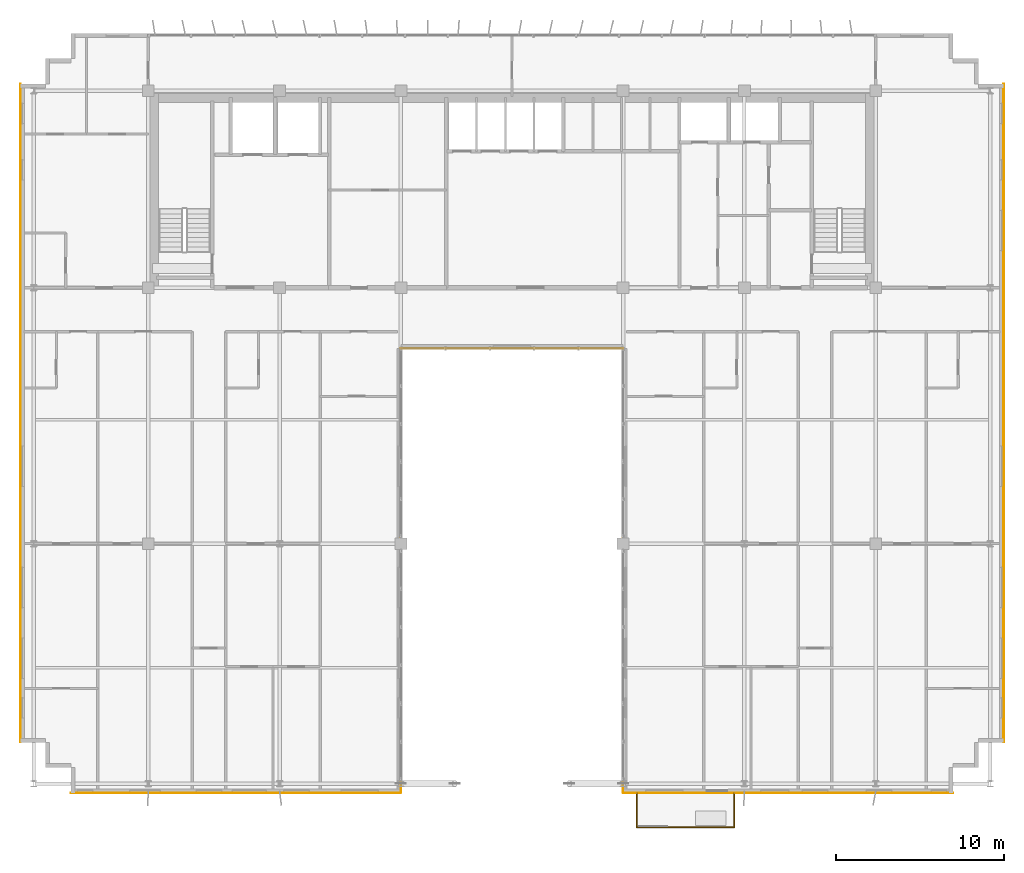
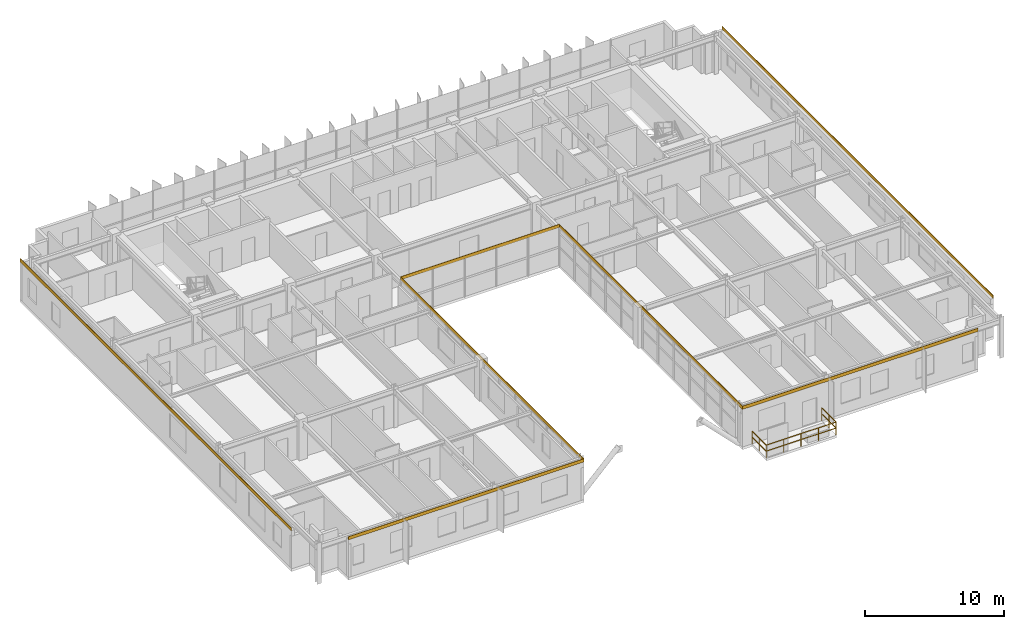
# One storey, part 33 of 34: 7 coverings, 3 railings.
"""IFC4 building model written with IfcOpenShell, lengths in metres."""

import ifcopenshell
import ifcopenshell.guid

model = None  # the IFC model being written
_history = None  # IfcOwnerHistory: only IFC2X3 demands one
_inside = {}  # id of a spatial element -> (the spatial element, [elements in it])
_under = {}  # id of a project, library or spatial element -> (it, [spatial elements below it])
_declared = {}  # id of a project -> (the project, [libraries it declares])
_typed = {}  # id of a type object -> (the type object, [elements of that type])
_made_of = {}  # id of a material, layer set ... -> (it, [elements and type objects made of it])


def new_model(schema):
    """Start an empty IFC model of exactly this schema.

    Asked for "IFC4X3", IfcOpenShell would pick the latest addendum, in which some entities
    have other attributes; the version numbers below select the first issue.
    IFC2X3 requires an IfcOwnerHistory on every rooted entity: one is made here for all.
    """
    global model, _history
    if schema == "IFC4X3":
        model = ifcopenshell.file(schema_version=(4, 3, 0, 0))
    else:
        model = ifcopenshell.file(schema=schema)
    _inside.clear()
    _under.clear()
    _declared.clear()
    _typed.clear()
    _made_of.clear()
    _history = None
    if model.schema == "IFC2X3":
        org = make("IfcOrganization", Name="unknown")
        user = make(
            "IfcPersonAndOrganization",
            ThePerson=make("IfcPerson", FamilyName="unknown"),
            TheOrganization=org,
        )
        app = make(
            "IfcApplication",
            ApplicationDeveloper=org,
            Version="unknown",
            ApplicationFullName="unknown",
            ApplicationIdentifier="unknown",
        )
        _history = make(
            "IfcOwnerHistory",
            OwningUser=user,
            OwningApplication=app,
            ChangeAction="ADDED",
            CreationDate=0,
        )
    return model


def make(cls, **values):
    """One entity of the class cls with the attributes given. An attribute that is None is left unset."""
    return model.create_entity(
        cls, **{name: value for name, value in values.items() if value is not None}
    )


def rooted(cls, **values):
    """An entity with a GlobalId (a new one), such as an element, a storey or a relation."""
    return make(cls, GlobalId=ifcopenshell.guid.new(), OwnerHistory=_history, **values)


def si_unit(unit_type, name, prefix=None):
    """IfcSIUnit, for example si_unit("LENGTHUNIT", "METRE", prefix="MILLI")."""
    return make("IfcSIUnit", UnitType=unit_type, Prefix=prefix, Name=name)


def assignment(units):
    """IfcUnitAssignment: the units of a project."""
    return None if units is None else make("IfcUnitAssignment", Units=units)


def point(xyz):
    """IfcCartesianPoint."""
    return None if xyz is None else make("IfcCartesianPoint", Coordinates=xyz)


def direction(xyz):
    """IfcDirection."""
    return None if xyz is None else make("IfcDirection", DirectionRatios=xyz)


def frame(location, z_axis=None, x_axis=None):
    """IfcAxis2Placement3D, a coordinate frame: its origin and axes. An axis left out is left unset."""
    return make(
        "IfcAxis2Placement3D",
        Location=point(location),
        Axis=direction(z_axis),
        RefDirection=direction(x_axis),
    )


def frame_2d(location, x_axis=None):
    """IfcAxis2Placement2D, a coordinate frame in the plane: its origin and x axis."""
    return make(
        "IfcAxis2Placement2D", Location=point(location), RefDirection=direction(x_axis)
    )


def origin():
    """The frame at (0, 0, 0) with its axes left unset."""
    return frame((0.0, 0.0, 0.0))


def origin_2d():
    """The frame at (0, 0) in the plane with its x axis left unset."""
    return frame_2d((0.0, 0.0))


def place(relative_to, where):
    """IfcLocalPlacement: puts the frame where relative to a parent placement (None: the world)."""
    return make(
        "IfcLocalPlacement", PlacementRelTo=relative_to, RelativePlacement=where
    )


def context(
    kind, dimensions, precision=None, world=None, true_north=None, identifier=None
):
    """IfcGeometricRepresentationContext, for example the 3D "Model" context."""
    return make(
        "IfcGeometricRepresentationContext",
        ContextIdentifier=identifier,
        ContextType=kind,
        CoordinateSpaceDimension=dimensions,
        Precision=precision,
        WorldCoordinateSystem=world,
        TrueNorth=true_north,
    )


def subcontext(parent, identifier, kind, view, scale=None):
    """IfcGeometricRepresentationSubContext, for example "Body" below "Model"."""
    return make(
        "IfcGeometricRepresentationSubContext",
        ContextIdentifier=identifier,
        ContextType=kind,
        ParentContext=parent,
        TargetScale=scale,
        TargetView=view,
    )


def project(units=None, contexts=None):
    """IfcProject with its units and contexts."""
    return rooted(
        "IfcProject",
        Name="project",
        RepresentationContexts=contexts,
        UnitsInContext=assignment(units),
    )


def spatial(cls, under=None, at=None, **own):
    """A site, building, storey or space (cls), placed at a placement, below another one or the project."""
    s = rooted(cls, ObjectPlacement=at, **own)
    if under is not None:
        _under.setdefault(under.id(), (under, []))[1].append(s)
    return s


def profile(cls, at=None, kind="AREA", **sizes):
    """A parametric profile (cls). Its sizes go by their IFC names, for example OverallWidth=200.0."""
    return make(cls, ProfileType=kind, Position=at, **sizes)


def rectangle(**sizes):
    """IfcRectangleProfileDef."""
    return profile("IfcRectangleProfileDef", **sizes)


def extrude(swept, where, along, depth):
    """IfcExtrudedAreaSolid: the profile swept, set in the frame where, extruded along a direction by depth."""
    return make(
        "IfcExtrudedAreaSolid",
        SweptArea=swept,
        Position=where,
        ExtrudedDirection=direction(along),
        Depth=depth,
    )


def shape(context_of_items, identifier, shape_type, items):
    """IfcShapeRepresentation: the items that make up one representation, for example the "Body"."""
    return make(
        "IfcShapeRepresentation",
        ContextOfItems=context_of_items,
        RepresentationIdentifier=identifier,
        RepresentationType=shape_type,
        Items=items,
    )


def source(mapping_origin, context_of_items, identifier, shape_type, items):
    """IfcRepresentationMap: a shape defined once, which mapped items show again and again."""
    return make(
        "IfcRepresentationMap",
        MappingOrigin=mapping_origin,
        MappedRepresentation=shape(context_of_items, identifier, shape_type, items),
    )


def transform(
    local_origin,
    x_axis=None,
    y_axis=None,
    z_axis=None,
    scale=None,
    scale2=None,
    scale3=None,
    uniform=True,
):
    """IfcCartesianTransformationOperator3D, or its non-uniform kind. x_axis, y_axis, z_axis: its Axis1, 2, 3."""
    if uniform:
        return make(
            "IfcCartesianTransformationOperator3D",
            Axis1=direction(x_axis),
            Axis2=direction(y_axis),
            LocalOrigin=point(local_origin),
            Scale=scale,
            Axis3=direction(z_axis),
        )
    return make(
        "IfcCartesianTransformationOperator3DnonUniform",
        Axis1=direction(x_axis),
        Axis2=direction(y_axis),
        LocalOrigin=point(local_origin),
        Scale=scale,
        Axis3=direction(z_axis),
        Scale2=scale2,
        Scale3=scale3,
    )


def mapped(mapping_source, mapping_target):
    """IfcMappedItem: shows the shape of a source again, moved by a transform."""
    return make(
        "IfcMappedItem", MappingSource=mapping_source, MappingTarget=mapping_target
    )


def material(Name=None, Category=None):
    """IfcMaterial."""
    return make("IfcMaterial", Name=Name, Category=Category)


def layer(
    of_material, thickness, ventilated=None, Name=None, Category=None, Priority=None
):
    """IfcMaterialLayer: one layer of a wall or slab, of a material (None: an air gap)."""
    return make(
        "IfcMaterialLayer",
        Material=of_material,
        LayerThickness=thickness,
        IsVentilated=ventilated,
        Name=Name,
        Category=Category,
        Priority=Priority,
    )


def layer_set(layers, Name=None):
    """IfcMaterialLayerSet."""
    return make("IfcMaterialLayerSet", MaterialLayers=layers, LayerSetName=Name)


def made_of(thing, what):
    """Note that an element or type object is made of a material, layer set ...; save() writes the relation."""
    if what is not None:
        _made_of.setdefault(what.id(), (what, []))[1].append(thing)
    return thing


def type_object(cls, material=None, **own):
    """A type object (cls), such as IfcWallType, which elements share."""
    return made_of(rooted(cls, **own), material)


def element(
    cls,
    number,
    at=None,
    inside=None,
    cuts=None,
    type_object=None,
    material=None,
    context=None,
    identifier="Body",
    shape_type=None,
    held_by="IfcProductDefinitionShape",
    body=None,
    shapes=None,
    **own,
):
    """One element of the class cls, such as IfcWall. Its Tag is "e" and its number.

    at: its placement. inside: the storey or other place that contains it. cuts: it is an
    opening in that element (IfcRelVoidsElement). A single representation is given by context,
    identifier, shape_type and body (its items); several are given by shapes. held_by: the class
    of the entity that holds the representations. save() writes the other relations.
    """
    e = rooted(cls, Tag="e%d" % number, ObjectPlacement=at, **own)
    if body is not None:
        shapes = [shape(context, identifier, shape_type, body)]
    if shapes is not None:
        e.Representation = make(held_by, Representations=shapes)
    if inside is not None:
        _inside.setdefault(inside.id(), (inside, []))[1].append(e)
    if cuts is not None:
        rooted(
            "IfcRelVoidsElement", RelatingBuildingElement=cuts, RelatedOpeningElement=e
        )
    if type_object is not None:
        _typed.setdefault(type_object.id(), (type_object, []))[1].append(e)
    return made_of(e, material)


def aggregate(whole, parts):
    """IfcRelAggregates: a whole, such as a stair, and the parts it consists of."""
    return rooted("IfcRelAggregates", RelatingObject=whole, RelatedObjects=parts)


def save(model, path):
    """Write the relations noted so far, then the file.

    IfcRelAggregates (storeys below a building ...), IfcRelContainedInSpatialStructure (elements
    in a storey), IfcRelDefinesByType, IfcRelAssociatesMaterial and IfcRelDeclares: one each for
    every whole, place, type object, material and project.
    """
    for whole, parts in _under.values():
        aggregate(whole, parts)
    for where, things in _inside.values():
        rooted(
            "IfcRelContainedInSpatialStructure",
            RelatedElements=things,
            RelatingStructure=where,
        )
    for kind, things in _typed.values():
        rooted("IfcRelDefinesByType", RelatedObjects=things, RelatingType=kind)
    for what, things in _made_of.values():
        rooted("IfcRelAssociatesMaterial", RelatedObjects=things, RelatingMaterial=what)
    for by, libraries in _declared.values():
        rooted("IfcRelDeclares", RelatingContext=by, RelatedDefinitions=libraries)
    model.write(path)


model = new_model("IFC4")

# Units and contexts
model_context = context("Model", 3, precision=1e-05, world=origin(), true_north=direction((0.0, 1.0)))
body_context = subcontext(model_context, "Body", "Model", "MODEL_VIEW")
ifc_project = project(units=[si_unit("LENGTHUNIT", "METRE"), si_unit("AREAUNIT", "SQUARE_METRE"), si_unit("VOLUMEUNIT", "CUBIC_METRE"), si_unit("PLANEANGLEUNIT", "RADIAN"), si_unit("MASSUNIT", "GRAM", prefix="KILO")], contexts=[model_context])

# Site, building, storey
site_placement = place(None, origin())
site = spatial("IfcSite", under=ifc_project, at=site_placement, CompositionType="ELEMENT")
building_placement = place(site_placement, origin())
building = spatial("IfcBuilding", under=site, at=building_placement, Name="Trelvane Seafront Commons", CompositionType="ELEMENT")
storey_placement = place(building_placement, frame((0.0, 0.0, 197.699951171875)))
storey = spatial("IfcBuildingStorey", under=building, at=storey_placement, Name="L51", CompositionType="ELEMENT", Elevation=197.699951171875)

# Railings
ifc_material_1 = material(Name="Stainless steel balustrade", Category="steel")
railing_type = type_object("IfcRailingType", Name="ARCH-RAIL-BAL1150", PredefinedType="BALUSTRADE", material=ifc_material_1)
railing_1_placement = place(storey_placement, frame((44.60009765625, 3.39990234375, 0.0)))
element("IfcRailing", 1, at=railing_1_placement, inside=storey, type_object=railing_type, Name="RL-L51-BAL0-01", PredefinedType="BALUSTRADE", context=body_context, shape_type="SweptSolid", body=[
    extrude(rectangle(XDim=0.048095703125, YDim=0.048095703125, at=origin_2d()), frame((0.0, 0.0, 1.1259765625), z_axis=(0.0, -1.0, 0.0), x_axis=(1.0, 0.0, 0.0)), (0.0, 0.0, 1.0), 2.039794921875),
    extrude(rectangle(XDim=0.048095703125, YDim=0.048095703125, at=origin_2d()), frame((0.0, 0.0, 0.597900390625), z_axis=(0.0, -1.0, 0.0), x_axis=(1.0, 0.0, 0.0)), (0.0, 0.0, 1.0), 2.039794921875),
    extrude(rectangle(XDim=0.0419921875, YDim=0.0419921875, at=origin_2d()), origin(), (0.0, 0.0, 1.0), 1.1259765625),
    extrude(rectangle(XDim=0.0419921875, YDim=0.0419921875, at=origin_2d()), frame((0.0, -1.02001953125, 0.0)), (0.0, 0.0, 1.0), 1.1259765625),
    extrude(rectangle(XDim=0.0419921875, YDim=0.0419921875, at=origin_2d()), frame((0.0, -2.039794921875, 0.0)), (0.0, 0.0, 1.0), 1.1259765625),
])
railing_2_placement = place(storey_placement, frame((44.60009765625, 1.360107421875, 0.0)))
element("IfcRailing", 2, at=railing_2_placement, inside=storey, type_object=railing_type, Name="RL-L51-BAL0-02", PredefinedType="BALUSTRADE", context=body_context, shape_type="SweptSolid", body=[
    extrude(rectangle(XDim=0.048095703125, YDim=0.048095703125, at=origin_2d()), frame((0.0, 0.0, 1.1259765625), z_axis=(1.0, 0.0, 0.0), x_axis=(0.0, 1.0, 0.0)), (0.0, 0.0, 1.0), 5.7998046875),
    extrude(rectangle(XDim=0.048095703125, YDim=0.048095703125, at=origin_2d()), frame((0.0, 0.0, 0.597900390625), z_axis=(1.0, 0.0, 0.0), x_axis=(0.0, 1.0, 0.0)), (0.0, 0.0, 1.0), 5.7998046875),
    extrude(rectangle(XDim=0.0419921875, YDim=0.0419921875, at=origin_2d()), origin(), (0.0, 0.0, 1.0), 1.1259765625),
    extrude(rectangle(XDim=0.0419921875, YDim=0.0419921875, at=origin_2d()), frame((1.449951171875, 0.0, 0.0)), (0.0, 0.0, 1.0), 1.1259765625),
    extrude(rectangle(XDim=0.0419921875, YDim=0.0419921875, at=origin_2d()), frame((2.89990234375, 0.0, 0.0)), (0.0, 0.0, 1.0), 1.1259765625),
    extrude(rectangle(XDim=0.0419921875, YDim=0.0419921875, at=origin_2d()), frame((4.349853515625, 0.0, 0.0)), (0.0, 0.0, 1.0), 1.1259765625),
    extrude(rectangle(XDim=0.0419921875, YDim=0.0419921875, at=origin_2d()), frame((5.7998046875, 0.0, 0.0)), (0.0, 0.0, 1.0), 1.1259765625),
])
railing_3_placement = place(storey_placement, frame((50.39990234375, 1.360107421875, 0.0)))
element("IfcRailing", 3, at=railing_3_placement, inside=storey, type_object=railing_type, Name="RL-L51-BAL0-03", PredefinedType="BALUSTRADE", context=body_context, shape_type="SweptSolid", body=[
    extrude(rectangle(XDim=0.048095703125, YDim=0.048095703125, at=origin_2d()), frame((0.0, 0.0, 1.1259765625), z_axis=(0.0, 1.0, 0.0), x_axis=(-1.0, 0.0, 0.0)), (0.0, 0.0, 1.0), 2.039794921875),
    extrude(rectangle(XDim=0.048095703125, YDim=0.048095703125, at=origin_2d()), frame((0.0, 0.0, 0.597900390625), z_axis=(0.0, 1.0, 0.0), x_axis=(-1.0, 0.0, 0.0)), (0.0, 0.0, 1.0), 2.039794921875),
    extrude(rectangle(XDim=0.0419921875, YDim=0.0419921875, at=origin_2d()), origin(), (0.0, 0.0, 1.0), 1.1259765625),
    extrude(rectangle(XDim=0.0419921875, YDim=0.0419921875, at=origin_2d()), frame((0.0, 1.02001953125, 0.0)), (0.0, 0.0, 1.0), 1.1259765625),
    extrude(rectangle(XDim=0.0419921875, YDim=0.0419921875, at=origin_2d()), frame((0.0, 2.039794921875, 0.0)), (0.0, 0.0, 1.0), 1.1259765625),
])

# Coverings
ifc_material_2 = material(Name="Anodised pale-silver aluminium", Category="aluminium")
ifc_layer = layer(ifc_material_2, 0.034912109375, Name="ARCH-COV-CLAD35")
ifc_layer_set = layer_set([ifc_layer], Name="Anodised pale-silver aluminium")
covering_type = type_object("IfcCoveringType", Name="ARCH-COV-CLAD35", PredefinedType="CLADDING", material=ifc_layer_set)
shared_shape_1 = source(origin(), body_context, "Body", "SweptSolid", [
    extrude(rectangle(XDim=39.10009765625, YDim=0.034912109375, at=origin_2d()), origin(), (0.0, 0.0, 1.0), 0.280029296875),
])
for number, where, z_axis, x_axis, name in (
    (4, (8.0, 25.949951171875, 3.31982421875), (0.0, 0.0, 1.0), (0.0, 1.0, 0.0), "CLD-L51-00209"),
    (5, (66.39990234375, 25.949951171875, 3.31982421875), (0.0, 0.0, 1.0), (0.0, -1.0, 0.0), "CLD-L51-00210"),
):
    element("IfcCovering", number, at=place(storey_placement, frame(where, z_axis=z_axis, x_axis=x_axis)), inside=storey, type_object=covering_type, Name=name, PredefinedType="CLADDING", context=body_context, shape_type="MappedRepresentation", body=[
        mapped(shared_shape_1, transform((0.0, 0.0, 0.0), x_axis=(1.0, 0.0, 0.0), y_axis=(0.0, 1.0, 0.0), z_axis=(0.0, 0.0, 1.0), scale=1.0)),
    ])
shared_shape_2 = source(origin(), body_context, "Body", "SweptSolid", [
    extrude(rectangle(XDim=19.60009765625, YDim=0.034912109375, at=origin_2d()), origin(), (0.0, 0.0, 1.0), 0.280029296875),
])
for number, where, z_axis, x_axis, name in (
    (6, (53.60009765625, 3.39990234375, 3.31982421875), (0.0, 0.0, 1.0), (-1.0, 0.0, 0.0), "CLD-L51-00211"),
    (7, (20.800048828125, 3.39990234375, 3.31982421875), (0.0, 0.0, 1.0), (-1.0, 0.0, 0.0), "CLD-L51-00215"),
):
    element("IfcCovering", number, at=place(storey_placement, frame(where, z_axis=z_axis, x_axis=x_axis)), inside=storey, type_object=covering_type, Name=name, PredefinedType="CLADDING", context=body_context, shape_type="MappedRepresentation", body=[
        mapped(shared_shape_2, transform((0.0, 0.0, 0.0), x_axis=(1.0, 0.0, 0.0), y_axis=(0.0, 1.0, 0.0), z_axis=(0.0, 0.0, 1.0), scale=1.0)),
    ])
shared_shape_3 = source(origin(), body_context, "Body", "SweptSolid", [
    extrude(rectangle(XDim=26.39990234375, YDim=0.034912109375, at=origin_2d()), origin(), (0.0, 0.0, 1.0), 0.280029296875),
])
for number, where, z_axis, x_axis, name in (
    (8, (43.800048828125, 16.60009765625, 3.31982421875), (0.0, 0.0, 1.0), (0.0, 1.0, 0.0), "CLD-L51-00212"),
    (9, (30.60009765625, 16.60009765625, 3.31982421875), (0.0, 0.0, 1.0), (0.0, -1.0, 0.0), "CLD-L51-00214"),
):
    element("IfcCovering", number, at=place(storey_placement, frame(where, z_axis=z_axis, x_axis=x_axis)), inside=storey, type_object=covering_type, Name=name, PredefinedType="CLADDING", context=body_context, shape_type="MappedRepresentation", body=[
        mapped(shared_shape_3, transform((0.0, 0.0, 0.0), x_axis=(1.0, 0.0, 0.0), y_axis=(0.0, 1.0, 0.0), z_axis=(0.0, 0.0, 1.0), scale=1.0)),
    ])
shared_shape_4 = source(origin(), body_context, "Body", "SweptSolid", [
    extrude(rectangle(XDim=13.199951171875, YDim=0.034912109375, at=origin_2d()), origin(), (0.0, 0.0, 1.0), 0.280029296875),
])
covering_placement = place(storey_placement, frame((37.199951171875, 29.800048828125, 3.31982421875), z_axis=(0.0, 0.0, 1.0), x_axis=(-1.0, 0.0, 0.0)))
element("IfcCovering", 10, at=covering_placement, inside=storey, type_object=covering_type, Name="CLD-L51-00213", PredefinedType="CLADDING", context=body_context, shape_type="MappedRepresentation", body=[
    mapped(shared_shape_4, transform((0.0, 0.0, 0.0), x_axis=(1.0, 0.0, 0.0), y_axis=(0.0, 1.0, 0.0), z_axis=(0.0, 0.0, 1.0), scale=1.0)),
])

save(model, "model.ifc")
